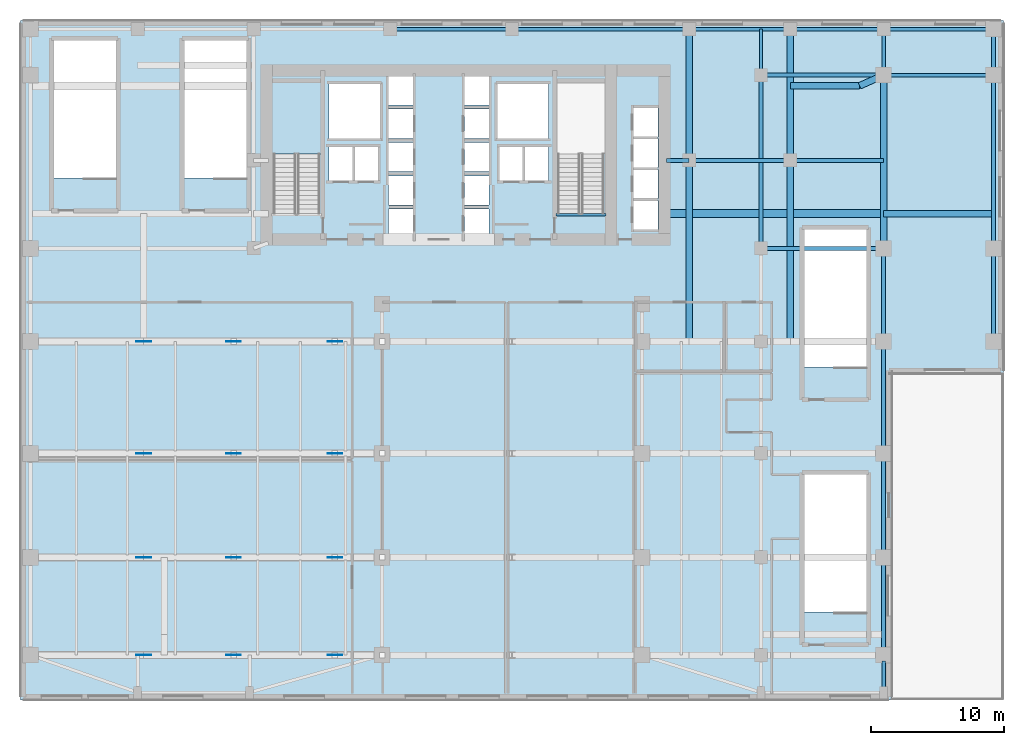
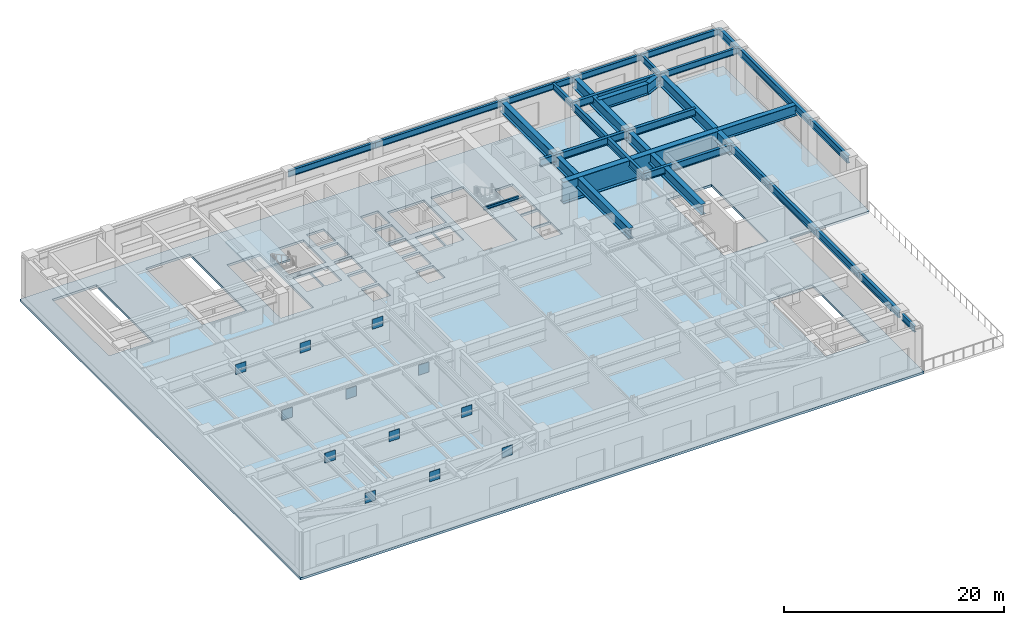
# One storey, part 4 of 14: 32 beams, 12 plates, 2 slabs, 1 element without a shape of its own.
"""IFC4 building model written with IfcOpenShell, lengths in metres."""

from ifc_helpers import new_model, si_unit, direction, frame, origin, origin_2d, place, context, subcontext, project, spatial, polyline, rectangle, i_section, outline, extrude, source, transform, mapped, material, layer, layer_set, material_profile, profile_set, type_object, type_shapes, element, aggregate, save


model = new_model("IFC4")

# Units and contexts
model_context = context("Model", 3, precision=1e-05, world=origin(), true_north=direction((0.0, 1.0)))
body_context = subcontext(model_context, "Body", "Model", "MODEL_VIEW")
ifc_project = project(units=[si_unit("LENGTHUNIT", "METRE"), si_unit("AREAUNIT", "SQUARE_METRE"), si_unit("VOLUMEUNIT", "CUBIC_METRE"), si_unit("PLANEANGLEUNIT", "RADIAN"), si_unit("MASSUNIT", "GRAM", prefix="KILO")], contexts=[model_context])

# Site, building, storey
site_placement = place(None, origin())
site = spatial("IfcSite", under=ifc_project, at=site_placement, CompositionType="ELEMENT")
building_placement = place(site_placement, origin())
building = spatial("IfcBuilding", under=site, at=building_placement, Name="Tolvann Quenvar Hotel", CompositionType="ELEMENT")
storey_placement = place(building_placement, frame((0.0, 0.0, 26.800048828125)))
storey = spatial("IfcBuildingStorey", under=building, at=storey_placement, Name="L05", CompositionType="ELEMENT", Elevation=26.800048828125)

# Beams
ifc_material_1 = material(Name="Steel Grade 350", Category="steel")
ifc_material_profile_1 = material_profile(ifc_material_1, i_section(OverallWidth=0.300048828125, OverallDepth=0.81591796875, WebThickness=0.010009765625, FlangeThickness=0.028076171875, at=origin_2d()), Name="800WB192")
ifc_profile_set_1 = profile_set([ifc_material_profile_1], Name="Steel Grade 350")
beam_type_1 = type_object("IfcBeamType", Name="BM_GIRD_800WB192", PredefinedType="BEAM", material=ifc_profile_set_1)
shared_shape_1 = source(origin(), body_context, "Body", "SweptSolid", [
    extrude(i_section(OverallWidth=0.300048828125, OverallDepth=0.81591796875, WebThickness=0.010009765625, FlangeThickness=0.028076171875, at=origin_2d()), origin(), (0.0, 0.0, 1.0), 7.349853515625),
])
beam_1_placement = place(storey_placement, frame((56.39990234375, 0.85009765625, 4.531982421875), z_axis=(0.0, 1.0, 0.0), x_axis=(-1.0, 0.0, 0.0)))
element("IfcBeam", 1, at=beam_1_placement, inside=storey, type_object=beam_type_1, Name="BM-L05-NS-J-0", PredefinedType="BEAM", context=body_context, shape_type="MappedRepresentation", body=[
    mapped(shared_shape_1, transform((0.0, 0.0, 0.0), x_axis=(1.0, 0.0, 0.0), y_axis=(0.0, 1.0, 0.0), z_axis=(0.0, 0.0, 1.0), scale=1.0)),
])
shared_shape_2 = source(origin(), body_context, "Body", "SweptSolid", [
    extrude(i_section(OverallWidth=0.300048828125, OverallDepth=0.81591796875, WebThickness=0.010009765625, FlangeThickness=0.028076171875, at=origin_2d()), origin(), (0.0, 0.0, 1.0), 7.800048828125),
])
beam_2_placement = place(storey_placement, frame((56.39990234375, 8.199951171875, 4.531982421875), z_axis=(0.0, 1.0, 0.0), x_axis=(-1.0, 0.0, 0.0)))
element("IfcBeam", 2, at=beam_2_placement, inside=storey, type_object=beam_type_1, Name="BM-L05-NS-J-1", PredefinedType="BEAM", context=body_context, shape_type="MappedRepresentation", body=[
    mapped(shared_shape_2, transform((0.0, 0.0, 0.0), x_axis=(1.0, 0.0, 0.0), y_axis=(0.0, 1.0, 0.0), z_axis=(0.0, 0.0, 1.0), scale=1.0)),
])
shared_shape_3 = source(origin(), body_context, "Body", "SweptSolid", [
    extrude(i_section(OverallWidth=0.300048828125, OverallDepth=0.81591796875, WebThickness=0.010009765625, FlangeThickness=0.028076171875, at=origin_2d()), origin(), (0.0, 0.0, 1.0), 8.39990234375),
])
beam_3_placement = place(storey_placement, frame((56.39990234375, 16.0, 4.531982421875), z_axis=(0.0, 1.0, 0.0), x_axis=(-1.0, 0.0, 0.0)))
element("IfcBeam", 3, at=beam_3_placement, inside=storey, type_object=beam_type_1, Name="BM-L05-NS-J-2", PredefinedType="BEAM", context=body_context, shape_type="MappedRepresentation", body=[
    mapped(shared_shape_3, transform((0.0, 0.0, 0.0), x_axis=(1.0, 0.0, 0.0), y_axis=(0.0, 1.0, 0.0), z_axis=(0.0, 0.0, 1.0), scale=1.0)),
])
shared_shape_4 = source(origin(), body_context, "Body", "SweptSolid", [
    extrude(i_section(OverallWidth=0.300048828125, OverallDepth=0.81591796875, WebThickness=0.010009765625, FlangeThickness=0.028076171875, at=origin_2d()), origin(), (0.0, 0.0, 1.0), 9.199951171875),
])
for number, where, z_axis, x_axis, name in (
    (4, (47.199951171875, 31.39990234375, 4.531982421875), (1.0, 0.0, 0.0), (0.0, 1.0, 0.0), "BM-L05-GE2-5"),
    (5, (47.199951171875, 44.39990234375, 4.531982421875), (1.0, 0.0, 0.0), (0.0, 1.0, 0.0), "BM-L05-GE2-6"),
):
    element("IfcBeam", number, at=place(storey_placement, frame(where, z_axis=z_axis, x_axis=x_axis)), inside=storey, type_object=beam_type_1, Name=name, PredefinedType="BEAM", context=body_context, shape_type="MappedRepresentation", body=[
        mapped(shared_shape_4, transform((0.0, 0.0, 0.0), x_axis=(1.0, 0.0, 0.0), y_axis=(0.0, 1.0, 0.0), z_axis=(0.0, 0.0, 1.0), scale=1.0)),
    ])
ifc_material_profile_2 = material_profile(ifc_material_1, i_section(OverallWidth=0.25, OverallDepth=0.699951171875, WebThickness=0.010009765625, FlangeThickness=0.02392578125, at=origin_2d()), Name="700WB150")
ifc_profile_set_2 = profile_set([ifc_material_profile_2], Name="Steel Grade 350")
beam_type_2 = type_object("IfcBeamType", Name="BM_GIRD_700WB150", PredefinedType="BEAM", material=ifc_profile_set_2)
shared_shape_5 = source(origin(), body_context, "Body", "SweptSolid", [
    extrude(i_section(OverallWidth=0.25, OverallDepth=0.699951171875, WebThickness=0.010009765625, FlangeThickness=0.02392578125, at=origin_2d()), origin(), (0.0, 0.0, 1.0), 8.25),
])
for number, where, z_axis, x_axis, name in (
    (6, (56.39990234375, 44.39990234375, 4.58984375), (1.0, 0.0, 0.0), (0.0, 1.0, 0.0), "BM-L05-GE3-6"),
    (7, (56.39990234375, 47.85009765625, 4.58984375), (1.0, 0.0, 0.0), (0.0, 1.0, 0.0), "BM-L05-EWN-7"),
):
    element("IfcBeam", number, at=place(storey_placement, frame(where, z_axis=z_axis, x_axis=x_axis)), inside=storey, type_object=beam_type_2, Name=name, PredefinedType="BEAM", context=body_context, shape_type="MappedRepresentation", body=[
        mapped(shared_shape_5, transform((0.0, 0.0, 0.0), x_axis=(1.0, 0.0, 0.0), y_axis=(0.0, 1.0, 0.0), z_axis=(0.0, 0.0, 1.0), scale=1.0)),
    ])
shared_shape_6 = source(origin(), body_context, "Body", "SweptSolid", [
    extrude(i_section(OverallWidth=0.300048828125, OverallDepth=0.81591796875, WebThickness=0.010009765625, FlangeThickness=0.028076171875, at=origin_2d()), origin(), (0.0, 0.0, 1.0), 7.0),
])
for number, where, z_axis, x_axis, name in (
    (8, (56.39990234375, 24.39990234375, 4.531982421875), (0.0, 1.0, 0.0), (-1.0, 0.0, 0.0), "BM-L05-NS-J-3"),
    (9, (64.64990234375, 24.39990234375, 4.531982421875), (0.0, 1.0, 0.0), (-1.0, 0.0, 0.0), "BM-L05-NS-K-3"),
    (10, (49.39990234375, 38.0, 4.531982421875), (1.0, 0.0, 0.0), (0.0, 1.0, 0.0), "BM-L05-EW-PIN3"),
):
    element("IfcBeam", number, at=place(storey_placement, frame(where, z_axis=z_axis, x_axis=x_axis)), inside=storey, type_object=beam_type_1, Name=name, PredefinedType="BEAM", context=body_context, shape_type="MappedRepresentation", body=[
        mapped(shared_shape_6, transform((0.0, 0.0, 0.0), x_axis=(1.0, 0.0, 0.0), y_axis=(0.0, 1.0, 0.0), z_axis=(0.0, 0.0, 1.0), scale=1.0)),
    ])
shared_shape_7 = source(origin(), body_context, "Body", "SweptSolid", [
    extrude(i_section(OverallWidth=0.300048828125, OverallDepth=0.81591796875, WebThickness=0.010009765625, FlangeThickness=0.028076171875, at=origin_2d()), origin(), (0.0, 0.0, 1.0), 13.0),
])
for number, where, z_axis, x_axis, name in (
    (11, (47.199951171875, 31.39990234375, 4.531982421875), (0.0, 1.0, 0.0), (-1.0, 0.0, 0.0), "BM-L05-NS-H-4"),
    (12, (64.64990234375, 31.39990234375, 4.531982421875), (0.0, 1.0, 0.0), (-1.0, 0.0, 0.0), "BM-L05-NS-K-4"),
):
    element("IfcBeam", number, at=place(storey_placement, frame(where, z_axis=z_axis, x_axis=x_axis)), inside=storey, type_object=beam_type_1, Name=name, PredefinedType="BEAM", context=body_context, shape_type="MappedRepresentation", body=[
        mapped(shared_shape_7, transform((0.0, 0.0, 0.0), x_axis=(1.0, 0.0, 0.0), y_axis=(0.0, 1.0, 0.0), z_axis=(0.0, 0.0, 1.0), scale=1.0)),
    ])
shared_shape_8 = source(origin(), body_context, "Body", "SweptSolid", [
    extrude(i_section(OverallWidth=0.25, OverallDepth=0.699951171875, WebThickness=0.010009765625, FlangeThickness=0.02392578125, at=origin_2d()), origin(), (0.0, 0.0, 1.0), 3.4501953125),
])
for number, where, z_axis, x_axis, name in (
    (13, (47.199951171875, 44.39990234375, 4.58984375), (0.0, 1.0, 0.0), (-1.0, 0.0, 0.0), "BM-L05-NSN-H"),
    (14, (56.39990234375, 44.39990234375, 4.58984375), (0.0, 1.0, 0.0), (-1.0, 0.0, 0.0), "BM-L05-NSN-J"),
):
    element("IfcBeam", number, at=place(storey_placement, frame(where, z_axis=z_axis, x_axis=x_axis)), inside=storey, type_object=beam_type_2, Name=name, PredefinedType="BEAM", context=body_context, shape_type="MappedRepresentation", body=[
        mapped(shared_shape_8, transform((0.0, 0.0, 0.0), x_axis=(1.0, 0.0, 0.0), y_axis=(0.0, 1.0, 0.0), z_axis=(0.0, 0.0, 1.0), scale=1.0)),
    ])
shared_shape_9 = source(origin(), body_context, "Body", "SweptSolid", [
    extrude(i_section(OverallWidth=0.25, OverallDepth=0.699951171875, WebThickness=0.010009765625, FlangeThickness=0.02392578125, at=origin_2d()), origin(), (0.0, 0.0, 1.0), 2.349853515625),
])
beam_4_placement = place(storey_placement, frame((56.39990234375, -1.949951171875, 4.58984375), z_axis=(0.0, 1.0, 0.0), x_axis=(-1.0, 0.0, 0.0)))
element("IfcBeam", 15, at=beam_4_placement, inside=storey, type_object=beam_type_2, Name="BM-L05-NSS-J", PredefinedType="BEAM", context=body_context, shape_type="MappedRepresentation", body=[
    mapped(shared_shape_9, transform((0.0, 0.0, 0.0), x_axis=(1.0, 0.0, 0.0), y_axis=(0.0, 1.0, 0.0), z_axis=(0.0, 0.0, 1.0), scale=1.0)),
])
shared_shape_10 = source(origin(), body_context, "Body", "SweptSolid", [
    extrude(i_section(OverallWidth=0.25, OverallDepth=0.699951171875, WebThickness=0.010009765625, FlangeThickness=0.02392578125, at=origin_2d()), origin(), (0.0, 0.0, 1.0), 9.14990234375),
])
beam_5_placement = place(storey_placement, frame((19.35009765625, 47.85009765625, 4.58984375), z_axis=(1.0, 0.0, 0.0), x_axis=(0.0, 1.0, 0.0)))
element("IfcBeam", 16, at=beam_5_placement, inside=storey, type_object=beam_type_2, Name="BM-L05-EWN-3", PredefinedType="BEAM", context=body_context, shape_type="MappedRepresentation", body=[
    mapped(shared_shape_10, transform((0.0, 0.0, 0.0), x_axis=(1.0, 0.0, 0.0), y_axis=(0.0, 1.0, 0.0), z_axis=(0.0, 0.0, 1.0), scale=1.0)),
])
shared_shape_11 = source(origin(), body_context, "Body", "SweptSolid", [
    extrude(i_section(OverallWidth=0.25, OverallDepth=0.699951171875, WebThickness=0.010009765625, FlangeThickness=0.02392578125, at=origin_2d()), origin(), (0.0, 0.0, 1.0), 13.300048828125),
])
beam_6_placement = place(storey_placement, frame((28.5, 47.85009765625, 4.58984375), z_axis=(1.0, 0.0, 0.0), x_axis=(0.0, 1.0, 0.0)))
element("IfcBeam", 17, at=beam_6_placement, inside=storey, type_object=beam_type_2, Name="BM-L05-EWN-4", PredefinedType="BEAM", context=body_context, shape_type="MappedRepresentation", body=[
    mapped(shared_shape_11, transform((0.0, 0.0, 0.0), x_axis=(1.0, 0.0, 0.0), y_axis=(0.0, 1.0, 0.0), z_axis=(0.0, 0.0, 1.0), scale=1.0)),
])
shared_shape_12 = source(origin(), body_context, "Body", "SweptSolid", [
    extrude(i_section(OverallWidth=0.25, OverallDepth=0.699951171875, WebThickness=0.010009765625, FlangeThickness=0.02392578125, at=origin_2d()), origin(), (0.0, 0.0, 1.0), 7.599853515625),
])
beam_7_placement = place(storey_placement, frame((41.800048828125, 47.85009765625, 4.58984375), z_axis=(1.0, 0.0, 0.0), x_axis=(0.0, 1.0, 0.0)))
element("IfcBeam", 18, at=beam_7_placement, inside=storey, type_object=beam_type_2, Name="BM-L05-EWN-5", PredefinedType="BEAM", context=body_context, shape_type="MappedRepresentation", body=[
    mapped(shared_shape_12, transform((0.0, 0.0, 0.0), x_axis=(1.0, 0.0, 0.0), y_axis=(0.0, 1.0, 0.0), z_axis=(0.0, 0.0, 1.0), scale=1.0)),
])
shared_shape_13 = source(origin(), body_context, "Body", "SweptSolid", [
    extrude(i_section(OverallWidth=0.25, OverallDepth=0.699951171875, WebThickness=0.010009765625, FlangeThickness=0.02392578125, at=origin_2d()), origin(), (0.0, 0.0, 1.0), 7.0),
])
type_shapes(beam_type_2, [shared_shape_5, shared_shape_8, shared_shape_9, shared_shape_10, shared_shape_11, shared_shape_12, shared_shape_13])
beam_8_placement = place(storey_placement, frame((49.39990234375, 47.85009765625, 4.58984375), z_axis=(1.0, 0.0, 0.0), x_axis=(0.0, 1.0, 0.0)))
element("IfcBeam", 19, at=beam_8_placement, inside=storey, type_object=beam_type_2, Name="BM-L05-EWN-6", PredefinedType="BEAM", context=body_context, shape_type="MappedRepresentation", body=[
    mapped(shared_shape_13, transform((0.0, 0.0, 0.0), x_axis=(1.0, 0.0, 0.0), y_axis=(0.0, 1.0, 0.0), z_axis=(0.0, 0.0, 1.0), scale=1.0)),
])
shared_shape_14 = source(origin(), body_context, "Body", "SweptSolid", [
    extrude(i_section(OverallWidth=0.300048828125, OverallDepth=0.81591796875, WebThickness=0.010009765625, FlangeThickness=0.028076171875, at=origin_2d()), origin(), (0.0, 0.0, 1.0), 1.699951171875),
])
beam_9_placement = place(storey_placement, frame((40.10009765625, 38.0, 4.531982421875), z_axis=(1.0, 0.0, 0.0), x_axis=(0.0, 1.0, 0.0)))
element("IfcBeam", 20, at=beam_9_placement, inside=storey, type_object=beam_type_1, Name="BM-L05-EW-PHN1", PredefinedType="BEAM", context=body_context, shape_type="MappedRepresentation", body=[
    mapped(shared_shape_14, transform((0.0, 0.0, 0.0), x_axis=(1.0, 0.0, 0.0), y_axis=(0.0, 1.0, 0.0), z_axis=(0.0, 0.0, 1.0), scale=1.0)),
])
shared_shape_15 = source(origin(), body_context, "Body", "SweptSolid", [
    extrude(i_section(OverallWidth=0.300048828125, OverallDepth=0.81591796875, WebThickness=0.010009765625, FlangeThickness=0.028076171875, at=origin_2d()), origin(), (0.0, 0.0, 1.0), 7.599853515625),
])
beam_10_placement = place(storey_placement, frame((41.800048828125, 38.0, 4.531982421875), z_axis=(1.0, 0.0, 0.0), x_axis=(0.0, 1.0, 0.0)))
element("IfcBeam", 21, at=beam_10_placement, inside=storey, type_object=beam_type_1, Name="BM-L05-EW-PHN2", PredefinedType="BEAM", context=body_context, shape_type="MappedRepresentation", body=[
    mapped(shared_shape_15, transform((0.0, 0.0, 0.0), x_axis=(1.0, 0.0, 0.0), y_axis=(0.0, 1.0, 0.0), z_axis=(0.0, 0.0, 1.0), scale=1.0)),
])
ifc_material_profile_3 = material_profile(ifc_material_1, i_section(OverallWidth=0.166015625, OverallDepth=0.306884765625, WebThickness=0.006591796875, FlangeThickness=0.01171875, FilletRadius=0.011474609375, at=origin_2d()), Name="310UB46")
ifc_profile_set_3 = profile_set([ifc_material_profile_3], Name="Steel Grade 350")
beam_type_3 = type_object("IfcBeamType", Name="BM_JOIST_310UB46", PredefinedType="JOIST", material=ifc_profile_set_3)
shared_shape_16 = source(origin(), body_context, "Body", "SweptSolid", [
    extrude(i_section(OverallWidth=0.166015625, OverallDepth=0.306884765625, WebThickness=0.006591796875, FlangeThickness=0.01171875, FilletRadius=0.011474609375, at=origin_2d()), origin(), (0.0, 0.0, 1.0), 3.75),
])
type_shapes(beam_type_3, [shared_shape_16])
beam_11_placement = place(storey_placement, frame((31.800048828125, 33.9150390625, 4.786376953125), z_axis=(1.0, 0.0, 0.0), x_axis=(0.0, 1.0, 0.0)))
element("IfcBeam", 22, at=beam_11_placement, inside=storey, type_object=beam_type_3, Name="BM-HDR-ST-C2-L06", PredefinedType="JOIST", context=body_context, shape_type="MappedRepresentation", body=[
    mapped(shared_shape_16, transform((0.0, 0.0, 0.0), x_axis=(1.0, 0.0, 0.0), y_axis=(0.0, 1.0, 0.0), z_axis=(0.0, 0.0, 1.0), scale=1.0)),
])
ifc_material_profile_4 = material_profile(ifc_material_1, i_section(OverallWidth=0.5, OverallDepth=1.199951171875, WebThickness=0.01611328125, FlangeThickness=0.0400390625, at=origin_2d()), Name="1200WB455")
ifc_profile_set_4 = profile_set([ifc_material_profile_4], Name="Steel Grade 350")
beam_type_4 = type_object("IfcBeamType", Name="BM_TG_1200WB455", PredefinedType="USERDEFINED", material=ifc_profile_set_4)
shared_shape_17 = source(origin(), body_context, "Body", "SweptSolid", [
    extrude(i_section(OverallWidth=0.5, OverallDepth=1.199951171875, WebThickness=0.01611328125, FlangeThickness=0.0400390625, at=origin_2d()), origin(), (0.0, 0.0, 1.0), 13.60009765625),
])
for number, where, z_axis, x_axis, name in (
    (23, (41.800048828125, 24.39990234375, 4.33984375), (0.0, 1.0, 0.0), (-1.0, 0.0, 0.0), "TG-L05-N-HN1"),
    (24, (49.39990234375, 24.39990234375, 4.33984375), (0.0, 1.0, 0.0), (-1.0, 0.0, 0.0), "TG-L05-N-IN1"),
):
    element("IfcBeam", number, at=place(storey_placement, frame(where, z_axis=z_axis, x_axis=x_axis)), inside=storey, type_object=beam_type_4, Name=name, ObjectType="TRANSFER GIRDER", PredefinedType="USERDEFINED", context=body_context, shape_type="MappedRepresentation", body=[
        mapped(shared_shape_17, transform((0.0, 0.0, 0.0), x_axis=(1.0, 0.0, 0.0), y_axis=(0.0, 1.0, 0.0), z_axis=(0.0, 0.0, 1.0), scale=1.0)),
    ])
shared_shape_18 = source(origin(), body_context, "Body", "SweptSolid", [
    extrude(i_section(OverallWidth=0.5, OverallDepth=1.199951171875, WebThickness=0.01611328125, FlangeThickness=0.0400390625, at=origin_2d()), origin(), (0.0, 0.0, 1.0), 9.85009765625),
])
for number, where, z_axis, x_axis, name in (
    (25, (41.800048828125, 38.0, 4.33984375), (0.0, 1.0, 0.0), (-1.0, 0.0, 0.0), "TG-L05-N-HN2"),
    (26, (49.39990234375, 38.0, 4.33984375), (0.0, 1.0, 0.0), (-1.0, 0.0, 0.0), "TG-L05-N-IN2"),
):
    element("IfcBeam", number, at=place(storey_placement, frame(where, z_axis=z_axis, x_axis=x_axis)), inside=storey, type_object=beam_type_4, Name=name, ObjectType="TRANSFER GIRDER", PredefinedType="USERDEFINED", context=body_context, shape_type="MappedRepresentation", body=[
        mapped(shared_shape_18, transform((0.0, 0.0, 0.0), x_axis=(1.0, 0.0, 0.0), y_axis=(0.0, 1.0, 0.0), z_axis=(0.0, 0.0, 1.0), scale=1.0)),
    ])
shared_shape_19 = source(origin(), body_context, "Body", "SweptSolid", [
    extrude(i_section(OverallWidth=0.5, OverallDepth=1.199951171875, WebThickness=0.01611328125, FlangeThickness=0.0400390625, at=origin_2d()), origin(), (0.0, 0.0, 1.0), 5.2001953125),
])
beam_12_placement = place(storey_placement, frame((49.39990234375, 43.60009765625, 4.33984375), z_axis=(1.0, 0.0, 0.0), x_axis=(0.0, 1.0, 0.0)))
element("IfcBeam", 27, at=beam_12_placement, inside=storey, type_object=beam_type_4, Name="TG-L05-JN-EW1", ObjectType="TRANSFER GIRDER", PredefinedType="USERDEFINED", context=body_context, shape_type="MappedRepresentation", body=[
    mapped(shared_shape_19, transform((0.0, 0.0, 0.0), x_axis=(1.0, 0.0, 0.0), y_axis=(0.0, 1.0, 0.0), z_axis=(0.0, 0.0, 1.0), scale=1.0)),
])
shared_shape_20 = source(origin(), body_context, "Body", "SweptSolid", [
    extrude(i_section(OverallWidth=0.5, OverallDepth=1.199951171875, WebThickness=0.01611328125, FlangeThickness=0.0400390625, at=origin_2d()), origin(), (0.0, 0.0, 1.0), 1.969482421875),
])
beam_13_placement = place(storey_placement, frame((54.60009765625, 43.60009765625, 4.33984375), z_axis=(0.913831994447, 0.406092459822, 0.0), x_axis=(-0.406092459822, 0.913831994447, 0.0)))
element("IfcBeam", 28, at=beam_13_placement, inside=storey, type_object=beam_type_4, Name="TG-L05-JN-EW2", ObjectType="TRANSFER GIRDER", PredefinedType="USERDEFINED", context=body_context, shape_type="MappedRepresentation", body=[
    mapped(shared_shape_20, transform((0.0, 0.0, 0.0), x_axis=(1.0, 0.0, 0.0), y_axis=(0.0, 1.0, 0.0), z_axis=(0.0, 0.0, 1.0), scale=1.0)),
])
ifc_material_profile_5 = material_profile(ifc_material_1, i_section(OverallWidth=0.60009765625, OverallDepth=2.39990234375, WebThickness=0.02001953125, FlangeThickness=0.044921875, at=origin_2d()), Name="2400WB655")
ifc_profile_set_5 = profile_set([ifc_material_profile_5], Name="Steel Grade 350")
beam_type_5 = type_object("IfcBeamType", Name="BM_TG_2400WB655", PredefinedType="USERDEFINED", material=ifc_profile_set_5)
shared_shape_21 = source(origin(), body_context, "Body", "SweptSolid", [
    extrude(i_section(OverallWidth=0.60009765625, OverallDepth=2.39990234375, WebThickness=0.02001953125, FlangeThickness=0.044921875, at=origin_2d()), origin(), (0.0, 0.0, 1.0), 16.2998046875),
])
type_shapes(beam_type_5, [shared_shape_21])
beam_14_placement = place(storey_placement, frame((40.10009765625, 34.0, 3.739990234375), z_axis=(1.0, 0.0, 0.0), x_axis=(0.0, 1.0, 0.0)))
element("IfcBeam", 29, at=beam_14_placement, inside=storey, type_object=beam_type_5, Name="TG-L05-D6-EL1", ObjectType="TRANSFER GIRDER", PredefinedType="USERDEFINED", context=body_context, shape_type="MappedRepresentation", body=[
    mapped(shared_shape_21, transform((0.0, 0.0, 0.0), x_axis=(1.0, 0.0, 0.0), y_axis=(0.0, 1.0, 0.0), z_axis=(0.0, 0.0, 1.0), scale=1.0)),
])
shared_shape_22 = source(origin(), body_context, "Body", "SweptSolid", [
    extrude(i_section(OverallWidth=0.5, OverallDepth=1.199951171875, WebThickness=0.01611328125, FlangeThickness=0.0400390625, at=origin_2d()), origin(), (0.0, 0.0, 1.0), 8.25),
])
beam_15_placement = place(storey_placement, frame((56.39990234375, 34.0, 4.33984375), z_axis=(1.0, 0.0, 0.0), x_axis=(0.0, 1.0, 0.0)))
element("IfcBeam", 30, at=beam_15_placement, inside=storey, type_object=beam_type_4, Name="TG-L05-D6-EL4", ObjectType="TRANSFER GIRDER", PredefinedType="USERDEFINED", context=body_context, shape_type="MappedRepresentation", body=[
    mapped(shared_shape_22, transform((0.0, 0.0, 0.0), x_axis=(1.0, 0.0, 0.0), y_axis=(0.0, 1.0, 0.0), z_axis=(0.0, 0.0, 1.0), scale=1.0)),
])
shared_shape_23 = source(origin(), body_context, "Body", "SweptSolid", [
    extrude(i_section(OverallWidth=0.5, OverallDepth=1.199951171875, WebThickness=0.01611328125, FlangeThickness=0.0400390625, at=origin_2d()), origin(), (0.0, 0.0, 1.0), 13.0),
])
type_shapes(beam_type_4, [shared_shape_17, shared_shape_18, shared_shape_19, shared_shape_20, shared_shape_22, shared_shape_23])
beam_16_placement = place(storey_placement, frame((56.39990234375, 31.39990234375, 4.33984375), z_axis=(0.0, 1.0, 0.0), x_axis=(-1.0, 0.0, 0.0)))
element("IfcBeam", 31, at=beam_16_placement, inside=storey, type_object=beam_type_4, Name="BM-L05-NS-J-4", ObjectType="TRANSFER GIRDER", PredefinedType="USERDEFINED", context=body_context, shape_type="MappedRepresentation", body=[
    mapped(shared_shape_23, transform((0.0, 0.0, 0.0), x_axis=(1.0, 0.0, 0.0), y_axis=(0.0, 1.0, 0.0), z_axis=(0.0, 0.0, 1.0), scale=1.0)),
])
shared_shape_24 = source(origin(), body_context, "Body", "SweptSolid", [
    extrude(i_section(OverallWidth=0.300048828125, OverallDepth=0.81591796875, WebThickness=0.010009765625, FlangeThickness=0.028076171875, at=origin_2d()), origin(), (0.0, 0.0, 1.0), 3.4501953125),
])
type_shapes(beam_type_1, [shared_shape_1, shared_shape_2, shared_shape_3, shared_shape_4, shared_shape_6, shared_shape_7, shared_shape_14, shared_shape_15, shared_shape_24])
beam_17_placement = place(storey_placement, frame((64.64990234375, 44.39990234375, 4.531982421875), z_axis=(0.0, 1.0, 0.0), x_axis=(-1.0, 0.0, 0.0)))
element("IfcBeam", 32, at=beam_17_placement, inside=storey, type_object=beam_type_1, Name="BM-L05-NS-PKN", PredefinedType="BEAM", context=body_context, shape_type="MappedRepresentation", body=[
    mapped(shared_shape_24, transform((0.0, 0.0, 0.0), x_axis=(1.0, 0.0, 0.0), y_axis=(0.0, 1.0, 0.0), z_axis=(0.0, 0.0, 1.0), scale=1.0)),
])

# Stair, slab
ifc_material_2 = material(Name="Concrete N40 (40 MPa)", Category="concrete")
stair_type = type_object("IfcStairType", Name="STAIR", PredefinedType="HALF_TURN_STAIR", material=ifc_material_2)
stair_placement = place(storey_placement, origin())
stair = element("IfcStair", 33, at=stair_placement, inside=storey, type_object=stair_type, Name="L05 ST-C1", PredefinedType="HALF_TURN_STAIR")
ifc_layer_1 = layer(ifc_material_2, 0.199951171875)
ifc_layer_set_1 = layer_set([ifc_layer_1], Name="Concrete N40 (40 MPa)")
slab_type_1 = type_object("IfcSlabType", Name="SLAB_LANDING", PredefinedType="LANDING", material=ifc_layer_set_1)
slab_1_placement = place(storey_placement, frame((0.0, 0.0, 2.39990234375)))
slab_1 = element("IfcSlab", 34, at=slab_1_placement, type_object=slab_type_1, Name="ST-C1 landing 1", PredefinedType="LANDING", context=body_context, shape_type="SweptSolid", body=[
    extrude(outline(polyline([(14.179931640625, 38.485107421875), (14.179931640625, 43.8798828125), (10.469970703125, 43.8798828125), (10.469970703125, 38.485107421875), (14.179931640625, 38.485107421875)])), origin(), (0.0, 0.0, 1.0), 0.199951171875),
])
aggregate(stair, [slab_1])

# Slab
ifc_material_3 = material(Name="Concrete N50 (50 MPa)", Category="concrete")
ifc_layer_2 = layer(ifc_material_3, 0.260009765625)
ifc_layer_set_2 = layer_set([ifc_layer_2], Name="Concrete N50 (50 MPa)")
slab_type_2 = type_object("IfcSlabType", Name="SLAB_POD_250", PredefinedType="FLOOR", material=ifc_layer_set_2)
slab_2_placement = place(storey_placement, frame((0.0, 0.0, -0.260009765625)))
element("IfcSlab", 35, at=slab_2_placement, inside=storey, type_object=slab_type_2, Name="Level L05 Structural Floor Slab", PredefinedType="FLOOR", context=body_context, shape_type="SweptSolid", body=[
    extrude(outline(polyline([(-8.39990234375, -2.5), (57.0, -2.5), (57.0, 22.0), (65.39990234375, 22.0), (65.39990234375, 48.5), (-8.39990234375, 48.5), (-8.39990234375, -2.5)]), holes=[polyline([(50.449951171875, 4.074951171875), (50.449951171875, 14.39990234375), (55.10009765625, 14.39990234375), (55.10009765625, 4.074951171875), (50.449951171875, 4.074951171875)]), polyline([(50.449951171875, 32.800048828125), (55.10009765625, 32.800048828125), (55.10009765625, 22.47509765625), (50.449951171875, 22.47509765625), (50.449951171875, 32.800048828125)]), polyline([(39.469970703125, 41.949951171875), (39.469970703125, 39.77001953125), (37.6298828125, 39.77001953125), (37.6298828125, 41.949951171875), (39.469970703125, 41.949951171875)]), polyline([(39.469970703125, 39.6298828125), (39.469970703125, 37.449951171875), (37.6298828125, 37.449951171875), (37.6298828125, 39.6298828125), (39.469970703125, 39.6298828125)]), polyline([(37.6298828125, 37.31005859375), (39.469970703125, 37.31005859375), (39.469970703125, 35.1298828125), (37.6298828125, 35.1298828125), (37.6298828125, 37.31005859375)]), polyline([(39.469970703125, 34.989990234375), (39.469970703125, 32.81005859375), (37.6298828125, 32.81005859375), (37.6298828125, 34.989990234375), (39.469970703125, 34.989990234375)]), polyline([(31.949951171875, 43.800048828125), (35.39990234375, 43.800048828125), (35.39990234375, 34.02490234375), (31.949951171875, 34.02490234375), (31.949951171875, 43.800048828125)]), polyline([(31.25, 39.02001953125), (31.25, 36.47998046875), (29.449951171875, 36.47998046875), (29.449951171875, 39.02001953125), (31.25, 39.02001953125)]), polyline([(31.25, 43.75), (31.25, 39.64990234375), (27.39990234375, 39.64990234375), (27.39990234375, 43.75), (31.25, 43.75)]), polyline([(29.324951171875, 39.02001953125), (29.324951171875, 36.47998046875), (27.574951171875, 36.47998046875), (27.574951171875, 39.02001953125), (29.324951171875, 39.02001953125)]), polyline([(24.929931640625, 36.840087890625), (26.77001953125, 36.840087890625), (26.77001953125, 34.659912109375), (24.929931640625, 34.659912109375), (24.929931640625, 36.840087890625)]), polyline([(26.77001953125, 44.340087890625), (26.77001953125, 42.159912109375), (24.929931640625, 42.159912109375), (24.929931640625, 44.340087890625), (26.77001953125, 44.340087890625)]), polyline([(26.77001953125, 41.840087890625), (26.77001953125, 39.659912109375), (24.929931640625, 39.659912109375), (24.929931640625, 41.840087890625), (26.77001953125, 41.840087890625)]), polyline([(24.929931640625, 39.340087890625), (26.77001953125, 39.340087890625), (26.77001953125, 37.159912109375), (24.929931640625, 37.159912109375), (24.929931640625, 39.340087890625)]), polyline([(26.77001953125, 34.340087890625), (26.77001953125, 32.159912109375), (24.929931640625, 32.159912109375), (24.929931640625, 34.340087890625), (26.77001953125, 34.340087890625)]), polyline([(21.070068359375, 44.340087890625), (21.070068359375, 42.159912109375), (19.22998046875, 42.159912109375), (19.22998046875, 44.340087890625), (21.070068359375, 44.340087890625)]), polyline([(21.070068359375, 41.840087890625), (21.070068359375, 39.659912109375), (19.22998046875, 39.659912109375), (19.22998046875, 41.840087890625), (21.070068359375, 41.840087890625)]), polyline([(19.22998046875, 39.340087890625), (21.070068359375, 39.340087890625), (21.070068359375, 37.159912109375), (19.22998046875, 37.159912109375), (19.22998046875, 39.340087890625)]), polyline([(21.070068359375, 36.840087890625), (21.070068359375, 34.659912109375), (19.22998046875, 34.659912109375), (19.22998046875, 36.840087890625), (21.070068359375, 36.840087890625)]), polyline([(19.22998046875, 34.340087890625), (21.070068359375, 34.340087890625), (21.070068359375, 32.159912109375), (19.22998046875, 32.159912109375), (19.22998046875, 34.340087890625)]), polyline([(18.60009765625, 43.75), (18.60009765625, 39.64990234375), (14.75, 39.64990234375), (14.75, 43.75), (18.60009765625, 43.75)]), polyline([(18.425048828125, 39.02001953125), (18.425048828125, 36.47998046875), (16.675048828125, 36.47998046875), (16.675048828125, 39.02001953125), (18.425048828125, 39.02001953125)]), polyline([(16.550048828125, 39.02001953125), (16.550048828125, 36.47998046875), (14.75, 36.47998046875), (14.75, 39.02001953125), (16.550048828125, 39.02001953125)]), polyline([(10.60009765625, 43.800048828125), (14.050048828125, 43.800048828125), (14.050048828125, 34.02490234375), (10.60009765625, 34.02490234375), (10.60009765625, 43.800048828125)]), polyline([(3.89990234375, 47.0), (8.550048828125, 47.0), (8.550048828125, 36.675048828125), (3.89990234375, 36.675048828125), (3.89990234375, 47.0)]), polyline([(-5.89990234375, 47.0), (-1.25, 47.0), (-1.25, 36.675048828125), (-5.89990234375, 36.675048828125), (-5.89990234375, 47.0)])]), origin(), (0.0, 0.0, 1.0), 0.260009765625),
])

# Plates
ifc_layer_3 = layer(ifc_material_1, 0.0400390625)
ifc_layer_set_3 = layer_set([ifc_layer_3], Name="Steel Grade 350")
plate_type = type_object("IfcPlateType", Name="PLT_GUSSET_40", PredefinedType="USERDEFINED", material=ifc_layer_set_3)
shared_shape_25 = source(origin(), body_context, "Body", "SweptSolid", [
    extrude(rectangle(XDim=1.10009765625, YDim=0.0400390625, at=origin_2d()), origin(), (0.0, 0.0, 1.0), 1.10009765625),
])
type_shapes(plate_type, [shared_shape_25])
for number, where, z_axis, x_axis, name in (
    (36, (0.85009765625, 0.85009765625, 3.18994140625), (0.0, 0.0, 1.0), (1.0, 0.0, 0.0), "Transfer Grillage Stiffener Plate GP-2 (1-1)"),
    (37, (7.60009765625, 0.85009765625, 3.18994140625), (0.0, 0.0, 1.0), (1.0, 0.0, 0.0), "Transfer Grillage Stiffener Plate GP-2 (1-2)"),
    (38, (15.199951171875, 0.85009765625, 3.18994140625), (0.0, 0.0, 1.0), (1.0, 0.0, 0.0), "Transfer Grillage Stiffener Plate GP-2 (1-3)"),
    (39, (0.85009765625, 8.199951171875, 3.18994140625), (0.0, 0.0, 1.0), (1.0, 0.0, 0.0), "Transfer Grillage Stiffener Plate GP-2 (2-1)"),
    (40, (7.60009765625, 8.199951171875, 3.18994140625), (0.0, 0.0, 1.0), (1.0, 0.0, 0.0), "Transfer Grillage Stiffener Plate GP-2 (2-2)"),
    (41, (15.199951171875, 8.199951171875, 3.18994140625), (0.0, 0.0, 1.0), (1.0, 0.0, 0.0), "Transfer Grillage Stiffener Plate GP-2 (2-3)"),
    (42, (0.85009765625, 16.0, 3.18994140625), (0.0, 0.0, 1.0), (1.0, 0.0, 0.0), "Transfer Grillage Stiffener Plate GP-2 (3-1)"),
    (43, (7.60009765625, 16.0, 3.18994140625), (0.0, 0.0, 1.0), (1.0, 0.0, 0.0), "Transfer Grillage Stiffener Plate GP-2 (3-2)"),
    (44, (15.199951171875, 16.0, 3.18994140625), (0.0, 0.0, 1.0), (1.0, 0.0, 0.0), "Transfer Grillage Stiffener Plate GP-2 (3-3)"),
    (45, (0.85009765625, 24.39990234375, 3.18994140625), (0.0, 0.0, 1.0), (1.0, 0.0, 0.0), "Transfer Grillage Stiffener Plate GP-2 (4-1)"),
    (46, (7.60009765625, 24.39990234375, 3.18994140625), (0.0, 0.0, 1.0), (1.0, 0.0, 0.0), "Transfer Grillage Stiffener Plate GP-2 (4-2)"),
    (47, (15.199951171875, 24.39990234375, 3.18994140625), (0.0, 0.0, 1.0), (1.0, 0.0, 0.0), "Transfer Grillage Stiffener Plate GP-2 (4-3)"),
):
    element("IfcPlate", number, at=place(storey_placement, frame(where, z_axis=z_axis, x_axis=x_axis)), inside=storey, type_object=plate_type, Name=name, ObjectType="GUSSET PLATE", PredefinedType="USERDEFINED", context=body_context, shape_type="MappedRepresentation", body=[
        mapped(shared_shape_25, transform((0.0, 0.0, 0.0), x_axis=(1.0, 0.0, 0.0), y_axis=(0.0, 1.0, 0.0), z_axis=(0.0, 0.0, 1.0), scale=1.0)),
    ])

save(model, "model.ifc")
